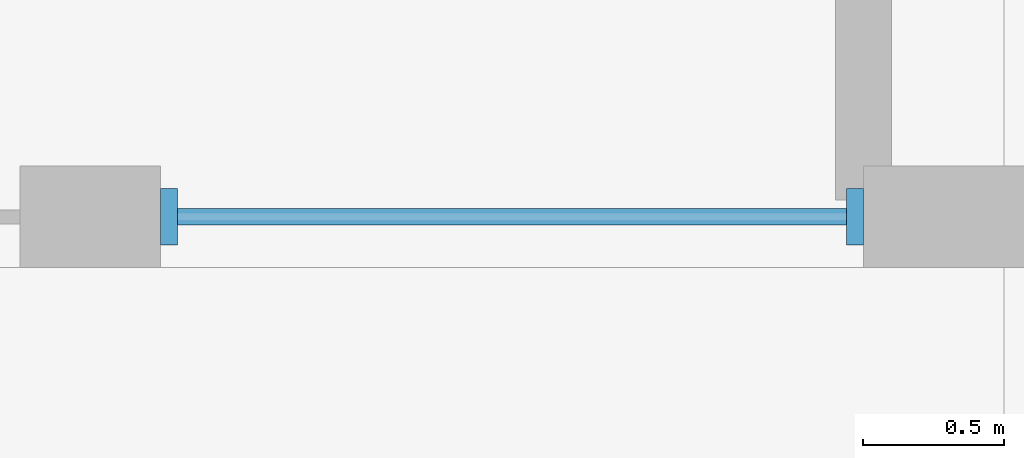
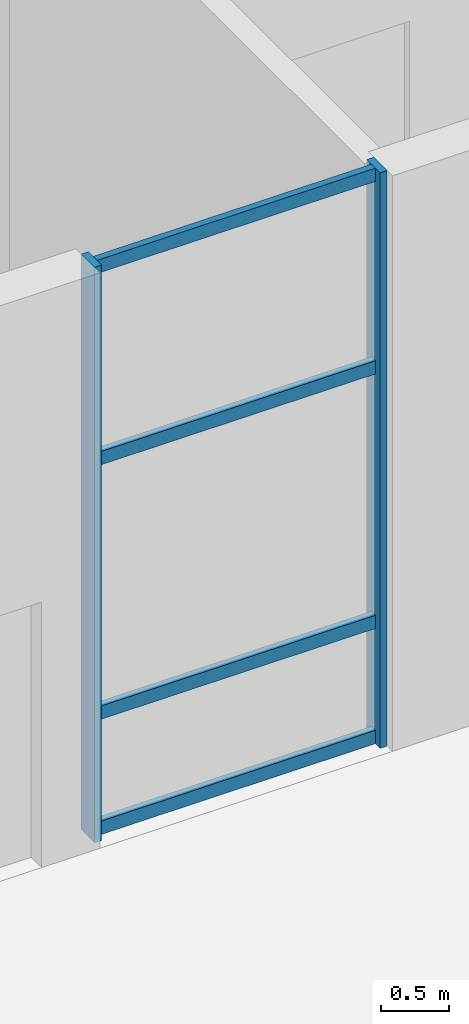
# One storey, part 5 of 26: 6 members, 1 element without a shape of its own.
"""IFC4 building model written with IfcOpenShell, lengths in metres."""

import ifcopenshell
import ifcopenshell.guid

model = None  # the IFC model being written
_history = None  # IfcOwnerHistory: only IFC2X3 demands one
_inside = {}  # id of a spatial element -> (the spatial element, [elements in it])
_under = {}  # id of a project, library or spatial element -> (it, [spatial elements below it])
_declared = {}  # id of a project -> (the project, [libraries it declares])
_typed = {}  # id of a type object -> (the type object, [elements of that type])
_made_of = {}  # id of a material, layer set ... -> (it, [elements and type objects made of it])


def new_model(schema):
    """Start an empty IFC model of exactly this schema.

    Asked for "IFC4X3", IfcOpenShell would pick the latest addendum, in which some entities
    have other attributes; the version numbers below select the first issue.
    IFC2X3 requires an IfcOwnerHistory on every rooted entity: one is made here for all.
    """
    global model, _history
    if schema == "IFC4X3":
        model = ifcopenshell.file(schema_version=(4, 3, 0, 0))
    else:
        model = ifcopenshell.file(schema=schema)
    _inside.clear()
    _under.clear()
    _declared.clear()
    _typed.clear()
    _made_of.clear()
    _history = None
    if model.schema == "IFC2X3":
        org = make("IfcOrganization", Name="unknown")
        user = make(
            "IfcPersonAndOrganization",
            ThePerson=make("IfcPerson", FamilyName="unknown"),
            TheOrganization=org,
        )
        app = make(
            "IfcApplication",
            ApplicationDeveloper=org,
            Version="unknown",
            ApplicationFullName="unknown",
            ApplicationIdentifier="unknown",
        )
        _history = make(
            "IfcOwnerHistory",
            OwningUser=user,
            OwningApplication=app,
            ChangeAction="ADDED",
            CreationDate=0,
        )
    return model


def make(cls, **values):
    """One entity of the class cls with the attributes given. An attribute that is None is left unset."""
    return model.create_entity(
        cls, **{name: value for name, value in values.items() if value is not None}
    )


def rooted(cls, **values):
    """An entity with a GlobalId (a new one), such as an element, a storey or a relation."""
    return make(cls, GlobalId=ifcopenshell.guid.new(), OwnerHistory=_history, **values)


def si_unit(unit_type, name, prefix=None):
    """IfcSIUnit, for example si_unit("LENGTHUNIT", "METRE", prefix="MILLI")."""
    return make("IfcSIUnit", UnitType=unit_type, Prefix=prefix, Name=name)


def assignment(units):
    """IfcUnitAssignment: the units of a project."""
    return None if units is None else make("IfcUnitAssignment", Units=units)


def point(xyz):
    """IfcCartesianPoint."""
    return None if xyz is None else make("IfcCartesianPoint", Coordinates=xyz)


def direction(xyz):
    """IfcDirection."""
    return None if xyz is None else make("IfcDirection", DirectionRatios=xyz)


def frame(location, z_axis=None, x_axis=None):
    """IfcAxis2Placement3D, a coordinate frame: its origin and axes. An axis left out is left unset."""
    return make(
        "IfcAxis2Placement3D",
        Location=point(location),
        Axis=direction(z_axis),
        RefDirection=direction(x_axis),
    )


def frame_2d(location, x_axis=None):
    """IfcAxis2Placement2D, a coordinate frame in the plane: its origin and x axis."""
    return make(
        "IfcAxis2Placement2D", Location=point(location), RefDirection=direction(x_axis)
    )


def origin():
    """The frame at (0, 0, 0) with its axes left unset."""
    return frame((0.0, 0.0, 0.0))


def origin_2d():
    """The frame at (0, 0) in the plane with its x axis left unset."""
    return frame_2d((0.0, 0.0))


def place(relative_to, where):
    """IfcLocalPlacement: puts the frame where relative to a parent placement (None: the world)."""
    return make(
        "IfcLocalPlacement", PlacementRelTo=relative_to, RelativePlacement=where
    )


def context(
    kind, dimensions, precision=None, world=None, true_north=None, identifier=None
):
    """IfcGeometricRepresentationContext, for example the 3D "Model" context."""
    return make(
        "IfcGeometricRepresentationContext",
        ContextIdentifier=identifier,
        ContextType=kind,
        CoordinateSpaceDimension=dimensions,
        Precision=precision,
        WorldCoordinateSystem=world,
        TrueNorth=true_north,
    )


def subcontext(parent, identifier, kind, view, scale=None):
    """IfcGeometricRepresentationSubContext, for example "Body" below "Model"."""
    return make(
        "IfcGeometricRepresentationSubContext",
        ContextIdentifier=identifier,
        ContextType=kind,
        ParentContext=parent,
        TargetScale=scale,
        TargetView=view,
    )


def project(units=None, contexts=None):
    """IfcProject with its units and contexts."""
    return rooted(
        "IfcProject",
        Name="project",
        RepresentationContexts=contexts,
        UnitsInContext=assignment(units),
    )


def spatial(cls, under=None, at=None, **own):
    """A site, building, storey or space (cls), placed at a placement, below another one or the project."""
    s = rooted(cls, ObjectPlacement=at, **own)
    if under is not None:
        _under.setdefault(under.id(), (under, []))[1].append(s)
    return s


def profile(cls, at=None, kind="AREA", **sizes):
    """A parametric profile (cls). Its sizes go by their IFC names, for example OverallWidth=200.0."""
    return make(cls, ProfileType=kind, Position=at, **sizes)


def rectangle(**sizes):
    """IfcRectangleProfileDef."""
    return profile("IfcRectangleProfileDef", **sizes)


def extrude(swept, where, along, depth):
    """IfcExtrudedAreaSolid: the profile swept, set in the frame where, extruded along a direction by depth."""
    return make(
        "IfcExtrudedAreaSolid",
        SweptArea=swept,
        Position=where,
        ExtrudedDirection=direction(along),
        Depth=depth,
    )


def shape(context_of_items, identifier, shape_type, items):
    """IfcShapeRepresentation: the items that make up one representation, for example the "Body"."""
    return make(
        "IfcShapeRepresentation",
        ContextOfItems=context_of_items,
        RepresentationIdentifier=identifier,
        RepresentationType=shape_type,
        Items=items,
    )


def material(Name=None, Category=None):
    """IfcMaterial."""
    return make("IfcMaterial", Name=Name, Category=Category)


def material_profile(
    of_material, cross_section, Name=None, Category=None, Priority=None
):
    """IfcMaterialProfile: a cross section and its material."""
    return make(
        "IfcMaterialProfile",
        Name=Name,
        Material=of_material,
        Profile=cross_section,
        Priority=Priority,
        Category=Category,
    )


def profile_set(profiles, Name=None, composite=None):
    """IfcMaterialProfileSet."""
    return make(
        "IfcMaterialProfileSet",
        Name=Name,
        MaterialProfiles=profiles,
        CompositeProfile=composite,
    )


def made_of(thing, what):
    """Note that an element or type object is made of a material, layer set ...; save() writes the relation."""
    if what is not None:
        _made_of.setdefault(what.id(), (what, []))[1].append(thing)
    return thing


def type_object(cls, material=None, **own):
    """A type object (cls), such as IfcWallType, which elements share."""
    return made_of(rooted(cls, **own), material)


def element(
    cls,
    number,
    at=None,
    inside=None,
    cuts=None,
    type_object=None,
    material=None,
    context=None,
    identifier="Body",
    shape_type=None,
    held_by="IfcProductDefinitionShape",
    body=None,
    shapes=None,
    **own,
):
    """One element of the class cls, such as IfcWall. Its Tag is "e" and its number.

    at: its placement. inside: the storey or other place that contains it. cuts: it is an
    opening in that element (IfcRelVoidsElement). A single representation is given by context,
    identifier, shape_type and body (its items); several are given by shapes. held_by: the class
    of the entity that holds the representations. save() writes the other relations.
    """
    e = rooted(cls, Tag="e%d" % number, ObjectPlacement=at, **own)
    if body is not None:
        shapes = [shape(context, identifier, shape_type, body)]
    if shapes is not None:
        e.Representation = make(held_by, Representations=shapes)
    if inside is not None:
        _inside.setdefault(inside.id(), (inside, []))[1].append(e)
    if cuts is not None:
        rooted(
            "IfcRelVoidsElement", RelatingBuildingElement=cuts, RelatedOpeningElement=e
        )
    if type_object is not None:
        _typed.setdefault(type_object.id(), (type_object, []))[1].append(e)
    return made_of(e, material)


def aggregate(whole, parts):
    """IfcRelAggregates: a whole, such as a stair, and the parts it consists of."""
    return rooted("IfcRelAggregates", RelatingObject=whole, RelatedObjects=parts)


def save(model, path):
    """Write the relations noted so far, then the file.

    IfcRelAggregates (storeys below a building ...), IfcRelContainedInSpatialStructure (elements
    in a storey), IfcRelDefinesByType, IfcRelAssociatesMaterial and IfcRelDeclares: one each for
    every whole, place, type object, material and project.
    """
    for whole, parts in _under.values():
        aggregate(whole, parts)
    for where, things in _inside.values():
        rooted(
            "IfcRelContainedInSpatialStructure",
            RelatedElements=things,
            RelatingStructure=where,
        )
    for kind, things in _typed.values():
        rooted("IfcRelDefinesByType", RelatedObjects=things, RelatingType=kind)
    for what, things in _made_of.values():
        rooted("IfcRelAssociatesMaterial", RelatedObjects=things, RelatingMaterial=what)
    for by, libraries in _declared.values():
        rooted("IfcRelDeclares", RelatingContext=by, RelatedDefinitions=libraries)
    model.write(path)


model = new_model("IFC4")

# Units and contexts
model_context = context("Model", 3, precision=1e-05, world=origin(), true_north=direction((0.0, 1.0)))
body_context = subcontext(model_context, "Body", "Model", "MODEL_VIEW")
ifc_project = project(units=[si_unit("LENGTHUNIT", "METRE"), si_unit("AREAUNIT", "SQUARE_METRE"), si_unit("VOLUMEUNIT", "CUBIC_METRE"), si_unit("PLANEANGLEUNIT", "RADIAN"), si_unit("MASSUNIT", "GRAM", prefix="KILO")], contexts=[model_context])

# Site, building, storey
site_placement = place(None, origin())
site = spatial("IfcSite", under=ifc_project, at=site_placement, CompositionType="ELEMENT")
building_placement = place(site_placement, origin())
building = spatial("IfcBuilding", under=site, at=building_placement, Name="Tuart Gate Housing", CompositionType="ELEMENT")
storey_placement = place(building_placement, origin())
storey = spatial("IfcBuildingStorey", under=building, at=storey_placement, Name="L00", CompositionType="ELEMENT", Elevation=0.0)

# Curtain wall, members
ifc_material_1 = material(Name="Aluminium and clear glass", Category="aluminium")
curtain_wall_type = type_object("IfcCurtainWallType", Name="Ground storey glazing", PredefinedType="USERDEFINED", material=ifc_material_1)
curtain_wall_placement = place(storey_placement, origin())
curtain_wall = element("IfcCurtainWall", 1, at=curtain_wall_placement, inside=storey, type_object=curtain_wall_type, Name="Ground storey glazing A-S L00", ObjectType="GROUND STOREY GLAZING", PredefinedType="USERDEFINED")
ifc_material_2 = material(Name="Anodised aluminium", Category="aluminium")
ifc_material_profile_1 = material_profile(ifc_material_2, rectangle(XDim=0.06005859375, YDim=0.199951171875, at=origin_2d()), Name="60x200")
ifc_profile_set_1 = profile_set([ifc_material_profile_1], Name="Anodised aluminium")
member_type_1 = type_object("IfcMemberType", Name="Mullion 60 x 200", PredefinedType="MULLION", material=ifc_profile_set_1)
member_1_placement = place(storey_placement, frame((67.530029296875, 54.179931640625, 0.0), z_axis=(0.0, 0.0, 1.0), x_axis=(1.0, 0.0, 0.0)))
member_1 = element("IfcMember", 2, at=member_1_placement, type_object=member_type_1, Name="CW2 mullion 1", PredefinedType="MULLION", context=body_context, shape_type="SweptSolid", body=[
    extrude(rectangle(XDim=0.06005859375, YDim=0.199951171875, at=origin_2d()), origin(), (0.0, 0.0, 1.0), 5.199951171875),
])
member_2_placement = place(storey_placement, frame((69.969970703125, 54.179931640625, 0.0), z_axis=(0.0, 0.0, 1.0), x_axis=(1.0, 0.0, 0.0)))
member_2 = element("IfcMember", 3, at=member_2_placement, type_object=member_type_1, Name="CW2 mullion 2", PredefinedType="MULLION", context=body_context, shape_type="SweptSolid", body=[
    extrude(rectangle(XDim=0.06005859375, YDim=0.199951171875, at=origin_2d()), origin(), (0.0, 0.0, 1.0), 5.199951171875),
])
ifc_material_3 = material(Name="Anodised aluminium", Category="aluminium")
ifc_material_profile_2 = material_profile(ifc_material_3, rectangle(XDim=0.06005859375, YDim=0.1201171875, at=origin_2d()), Name="60x120")
ifc_profile_set_2 = profile_set([ifc_material_profile_2], Name="Anodised aluminium")
member_type_2 = type_object("IfcMemberType", Name="Transom 60 x 120", PredefinedType="USERDEFINED", material=ifc_profile_set_2)
member_3_placement = place(storey_placement, frame((67.56005859375, 54.179931640625, 0.06005859375), z_axis=(1.0, 0.0, 0.0), x_axis=(0.0, 1.0, 0.0)))
member_3 = element("IfcMember", 4, at=member_3_placement, type_object=member_type_2, Name="CW2 transom 1.1", ObjectType="TRANSOM", PredefinedType="USERDEFINED", context=body_context, shape_type="SweptSolid", body=[
    extrude(rectangle(XDim=0.06005859375, YDim=0.1201171875, at=origin_2d()), origin(), (0.0, 0.0, 1.0), 2.3798828125),
])
member_4_placement = place(storey_placement, frame((67.56005859375, 54.179931640625, 1.10009765625), z_axis=(1.0, 0.0, 0.0), x_axis=(0.0, 1.0, 0.0)))
member_4 = element("IfcMember", 5, at=member_4_placement, type_object=member_type_2, Name="CW2 transom 1.2", ObjectType="TRANSOM", PredefinedType="USERDEFINED", context=body_context, shape_type="SweptSolid", body=[
    extrude(rectangle(XDim=0.06005859375, YDim=0.1201171875, at=origin_2d()), origin(), (0.0, 0.0, 1.0), 2.3798828125),
])
member_5_placement = place(storey_placement, frame((67.56005859375, 54.179931640625, 3.39990234375), z_axis=(1.0, 0.0, 0.0), x_axis=(0.0, 1.0, 0.0)))
member_5 = element("IfcMember", 6, at=member_5_placement, type_object=member_type_2, Name="CW2 transom 1.3", ObjectType="TRANSOM", PredefinedType="USERDEFINED", context=body_context, shape_type="SweptSolid", body=[
    extrude(rectangle(XDim=0.06005859375, YDim=0.1201171875, at=origin_2d()), origin(), (0.0, 0.0, 1.0), 2.3798828125),
])
member_6_placement = place(storey_placement, frame((67.56005859375, 54.179931640625, 5.139892578125), z_axis=(1.0, 0.0, 0.0), x_axis=(0.0, 1.0, 0.0)))
member_6 = element("IfcMember", 7, at=member_6_placement, type_object=member_type_2, Name="CW2 transom 1.4", ObjectType="TRANSOM", PredefinedType="USERDEFINED", context=body_context, shape_type="SweptSolid", body=[
    extrude(rectangle(XDim=0.06005859375, YDim=0.1201171875, at=origin_2d()), origin(), (0.0, 0.0, 1.0), 2.3798828125),
])
aggregate(curtain_wall, [member_1, member_2, member_3, member_4, member_5, member_6])

save(model, "model.ifc")
